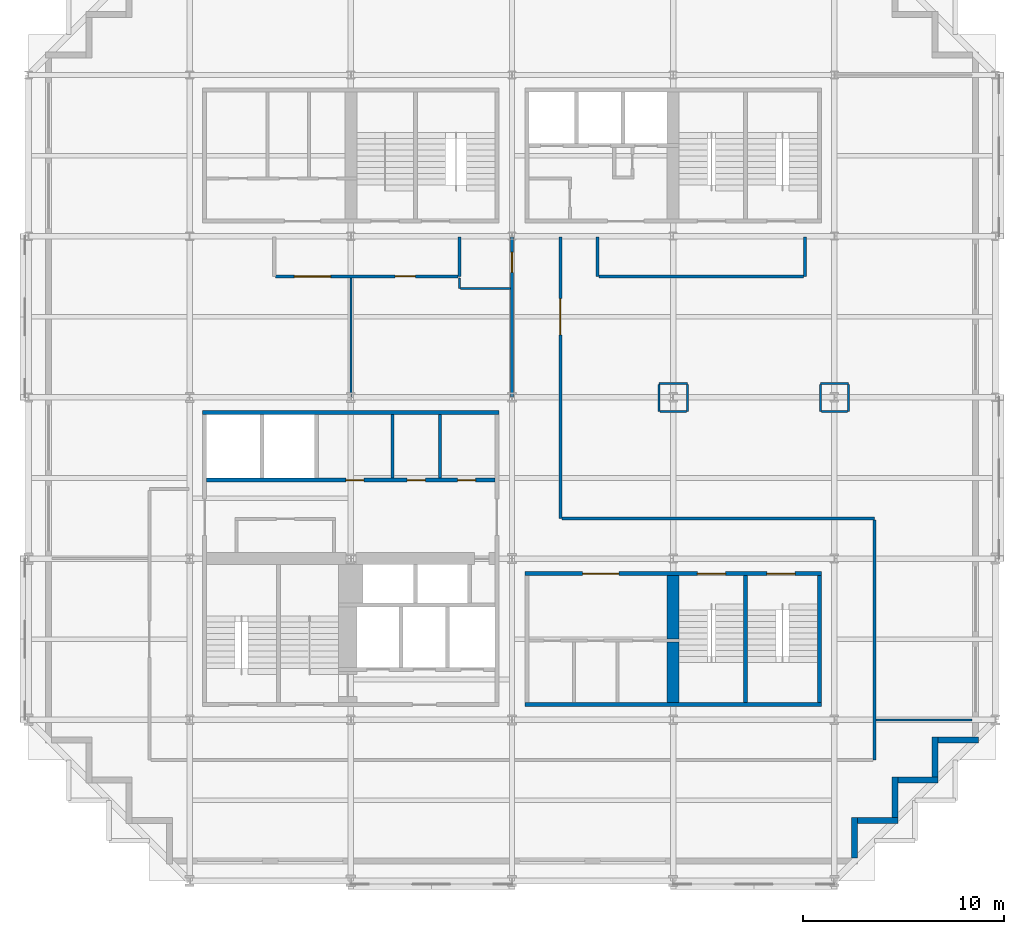
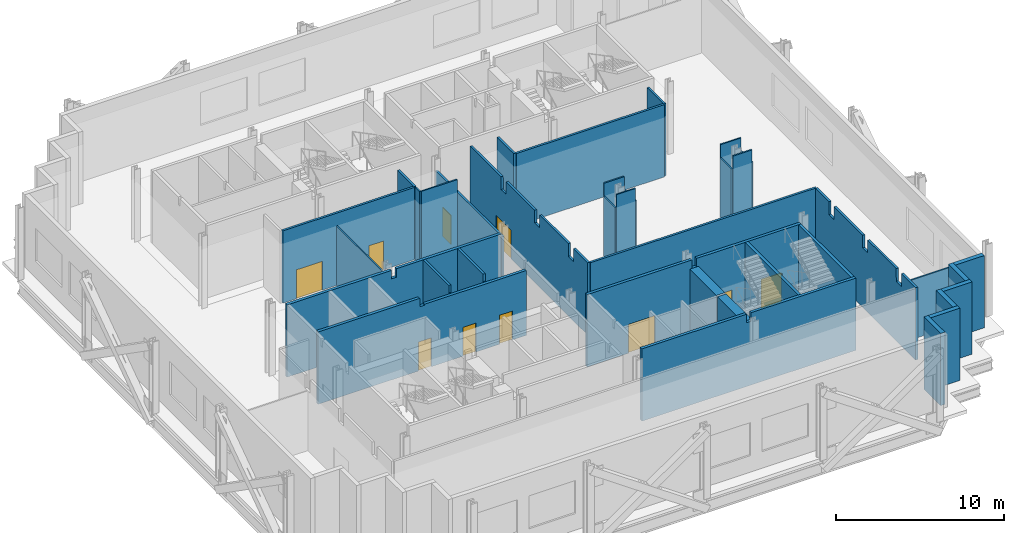
# One storey, part 6 of 10: 37 walls, 10 doors, 10 openings.
"""IFC4 building model written with IfcOpenShell, lengths in metres."""

from ifc_helpers import new_model, si_unit, direction, frame, frame_2d, origin, place, context, subcontext, project, spatial, polyline, rectangle, outline, extrude, material, layer, layer_set, type_object, element, fill, save


model = new_model("IFC4")

# Units and contexts
model_context = context("Model", 3, precision=1e-05, world=origin(), true_north=direction((0.0, 1.0)))
body_context = subcontext(model_context, "Body", "Model", "MODEL_VIEW")
ifc_project = project(units=[si_unit("LENGTHUNIT", "METRE"), si_unit("AREAUNIT", "SQUARE_METRE"), si_unit("VOLUMEUNIT", "CUBIC_METRE"), si_unit("PLANEANGLEUNIT", "RADIAN"), si_unit("MASSUNIT", "GRAM", prefix="KILO")], contexts=[model_context])

# Site, building, storey
site_placement = place(None, origin())
site = spatial("IfcSite", under=ifc_project, at=site_placement, CompositionType="ELEMENT")
building_placement = place(site_placement, origin())
building = spatial("IfcBuilding", under=site, at=building_placement, Name="Immortelle Media Tower", CompositionType="ELEMENT")
storey_placement = place(building_placement, frame((0.0, 0.0, 29.39990234375)))
storey = spatial("IfcBuildingStorey", under=building, at=storey_placement, Name="L03", CompositionType="ELEMENT", Elevation=29.39990234375)

# Walls
ifc_material_1 = material(Name="Fire-rated gypsum board", Category="gypsum")
ifc_layer_1 = layer(ifc_material_1, 0.02490234375)
ifc_material_2 = material(Name="Steel ASTM A653 SS Gr 50 stud frame with mineral wool", Category="steel")
ifc_layer_2 = layer(ifc_material_2, 0.10009765625)
ifc_layer_3 = layer(ifc_material_1, 0.02490234375)
ifc_layer_set_1 = layer_set([ifc_layer_1, ifc_layer_2, ifc_layer_3], Name="Steel ASTM A653 SS Gr 50 stud frame with mineral wool")
wall_type_1 = type_object("IfcWallType", Name="Core partition 150", PredefinedType="PARTITIONING", material=ifc_layer_set_1)
for number, where, z_axis, x_axis, name in (
    (1, (18.074951171875, 20.0, 0.0), (0.0, 0.0, 1.0), (0.0, 1.0, 0.0), "Core partition SW"),
    (2, (20.425048828125, 20.0, 0.0), (0.0, 0.0, 1.0), (0.0, 1.0, 0.0), "Core partition SW"),
):
    element("IfcWall", number, at=place(storey_placement, frame(where, z_axis=z_axis, x_axis=x_axis)), inside=storey, type_object=wall_type_1, Name=name, PredefinedType="PARTITIONING", context=body_context, shape_type="SweptSolid", body=[
        extrude(outline(polyline([(0.0, 0.0), (3.14990234375, 0.0), (3.14990234375, 5.25), (0.08837890625, 5.25), (0.08740234375, 4.7080078125), (0.0, 4.7080078125), (0.0, 0.0)])), frame((0.0, 0.074951171875, 0.0), z_axis=(0.0, -1.0, 0.0), x_axis=(1.0, 0.0, 0.0)), (0.0, 0.0, 1.0), 0.14990234375),
    ])
ifc_layer_4 = layer(ifc_material_1, 0.03759765625)
ifc_layer_5 = layer(ifc_material_2, 0.125)
ifc_layer_6 = layer(ifc_material_1, 0.03759765625)
ifc_layer_set_2 = layer_set([ifc_layer_4, ifc_layer_5, ifc_layer_6], Name="Steel ASTM A653 SS Gr 50 stud frame with mineral wool")
wall_type_2 = type_object("IfcWallType", Name="Core shaft wall 200", PredefinedType="PARTITIONING", material=ifc_layer_set_2)
wall_1_placement = place(storey_placement, frame((8.64990234375, 23.25, 0.0), z_axis=(0.0, 0.0, 1.0), x_axis=(1.0, 0.0, 0.0)))
element("IfcWall", 3, at=wall_1_placement, inside=storey, type_object=wall_type_2, Name="Core shaft wall SW", PredefinedType="PARTITIONING", context=body_context, shape_type="SweptSolid", body=[
    extrude(outline(polyline([(0.0, 0.0), (14.7001953125, 0.0), (14.699951171875, 5.25), (7.51708984375, 5.25), (7.51611328125, 4.632080078125), (7.18408203125, 4.632080078125), (7.18310546875, 5.25), (0.0, 5.25), (0.0, 0.0)])), frame((0.0, 0.10009765625, 0.0), z_axis=(0.0, -1.0, 0.0), x_axis=(1.0, 0.0, 0.0)), (0.0, 0.0, 1.0), 0.199951171875),
])

# Wall, openings, doors
wall_2_placement = place(storey_placement, frame((8.85009765625, 19.89990234375, 0.0), z_axis=(0.0, 0.0, 1.0), x_axis=(1.0, 0.0, 0.0)))
wall_2 = element("IfcWall", 4, at=wall_2_placement, inside=storey, type_object=wall_type_2, Name="Core shaft wall SW", PredefinedType="PARTITIONING", context=body_context, shape_type="SweptSolid", body=[
    extrude(outline(polyline([(0.0, 0.0), (14.2998046875, 0.0), (14.300048828125, 4.7080078125), (7.31689453125, 4.7080078125), (7.31591796875, 4.632080078125), (6.98388671875, 4.632080078125), (6.98291015625, 5.25), (0.0, 5.25), (0.0, 0.0)])), frame((0.0, 0.10009765625, 0.0), z_axis=(0.0, -1.0, 0.0), x_axis=(1.0, 0.0, 0.0)), (0.0, 0.0, 1.0), 0.199951171875),
])
opening_1_placement = place(wall_2_placement, frame((6.89990234375, 0.0, 0.0)))
opening_1 = element("IfcOpeningElement", 5, at=opening_1_placement, cuts=wall_2, Name="Opening P3-K006", PredefinedType="OPENING", context=body_context, shape_type="SweptSolid", body=[
    extrude(rectangle(XDim=0.89990234375, YDim=2.10009765625, at=frame_2d((0.449951171875, 1.050048828125))), frame((0.0, 0.10986328125, 0.0), z_axis=(0.0, -1.0, 0.0), x_axis=(1.0, 0.0, 0.0)), (0.0, 0.0, 1.0), 0.219970703125),
])
opening_2_placement = place(wall_2_placement, frame((9.949951171875, 0.0, 0.0)))
opening_2 = element("IfcOpeningElement", 6, at=opening_2_placement, cuts=wall_2, Name="Opening P3-K008", PredefinedType="OPENING", context=body_context, shape_type="SweptSolid", body=[
    extrude(rectangle(XDim=0.89990234375, YDim=2.10009765625, at=frame_2d((0.449951171875, 1.050048828125))), frame((0.0, 0.10986328125, 0.0), z_axis=(0.0, -1.0, 0.0), x_axis=(1.0, 0.0, 0.0)), (0.0, 0.0, 1.0), 0.219970703125),
])
opening_3_placement = place(wall_2_placement, frame((12.449951171875, 0.0, 0.0)))
opening_3 = element("IfcOpeningElement", 7, at=opening_3_placement, cuts=wall_2, Name="Opening P3-K011", PredefinedType="OPENING", context=body_context, shape_type="SweptSolid", body=[
    extrude(rectangle(XDim=0.89990234375, YDim=2.10009765625, at=frame_2d((0.449951171875, 1.050048828125))), frame((0.0, 0.10986328125, 0.0), z_axis=(0.0, -1.0, 0.0), x_axis=(1.0, 0.0, 0.0)), (0.0, 0.0, 1.0), 0.219970703125),
])
ifc_material_3 = material(Name="Timber", Category="wood")
door_type_1 = type_object("IfcDoorType", Name="Room door 900 x 2100", OperationType="NOTDEFINED", PredefinedType="NOTDEFINED", material=ifc_material_3)
door_1_placement = place(opening_1_placement, origin())
door_1 = element("IfcDoor", 8, at=door_1_placement, inside=storey, type_object=door_type_1, Name="Room P3-K006", OperationType="SINGLE_SWING_RIGHT", OverallHeight=2.10009765625, OverallWidth=0.89990234375, PredefinedType="NOTDEFINED", context=body_context, shape_type="SweptSolid", body=[
    extrude(rectangle(XDim=0.89990234375, YDim=2.10009765625, at=frame_2d((0.449951171875, 1.050048828125))), frame((0.0, 0.02490234375, 0.0), z_axis=(0.0, -1.0, 0.0), x_axis=(1.0, 0.0, 0.0)), (0.0, 0.0, 1.0), 0.050048828125),
])
fill(opening_1, door_1)
door_type_2 = type_object("IfcDoorType", Name="Toilet door 900 x 2100", OperationType="NOTDEFINED", PredefinedType="NOTDEFINED", material=ifc_material_3)
door_2_placement = place(opening_2_placement, origin())
door_2 = element("IfcDoor", 9, at=door_2_placement, inside=storey, type_object=door_type_2, Name="Toilet P3-K008", OperationType="SINGLE_SWING_RIGHT", OverallHeight=2.10009765625, OverallWidth=0.89990234375, PredefinedType="NOTDEFINED", context=body_context, shape_type="SweptSolid", body=[
    extrude(rectangle(XDim=0.89990234375, YDim=2.10009765625, at=frame_2d((0.449951171875, 1.050048828125))), frame((0.0, 0.02490234375, 0.0), z_axis=(0.0, -1.0, 0.0), x_axis=(1.0, 0.0, 0.0)), (0.0, 0.0, 1.0), 0.050048828125),
])
fill(opening_2, door_2)
door_3_placement = place(opening_3_placement, origin())
door_3 = element("IfcDoor", 10, at=door_3_placement, inside=storey, type_object=door_type_2, Name="Toilet P3-K011", OperationType="SINGLE_SWING_LEFT", OverallHeight=2.10009765625, OverallWidth=0.89990234375, PredefinedType="NOTDEFINED", context=body_context, shape_type="SweptSolid", body=[
    extrude(rectangle(XDim=0.89990234375, YDim=2.10009765625, at=frame_2d((0.449951171875, 1.050048828125))), frame((0.0, 0.02490234375, 0.0), z_axis=(0.0, -1.0, 0.0), x_axis=(1.0, 0.0, 0.0)), (0.0, 0.0, 1.0), 0.050048828125),
])
fill(opening_3, door_3)

# Walls
ifc_layer_7 = layer(ifc_material_1, 0.012451171875)
ifc_layer_8 = layer(ifc_material_2, 0.125)
ifc_layer_9 = layer(ifc_material_1, 0.012451171875)
ifc_layer_set_3 = layer_set([ifc_layer_7, ifc_layer_8, ifc_layer_9], Name="Steel ASTM A653 SS Gr 50 stud frame with mineral wool")
wall_type_3 = type_object("IfcWallType", Name="Corridor wall 150", PredefinedType="PARTITIONING", material=ifc_layer_set_3)
wall_3_placement = place(storey_placement, frame((42.0, 6.0, 0.0), z_axis=(0.0, 0.0, 1.0), x_axis=(0.0, 1.0, 0.0)))
element("IfcWall", 11, at=wall_3_placement, inside=storey, type_object=wall_type_3, Name="Partition L03-003", PredefinedType="PARTITIONING", context=body_context, shape_type="SweptSolid", body=[
    extrude(outline(polyline([(0.0, 0.0), (11.925048828125, 0.0), (11.925048828125, 5.25), (10.300048828125, 5.25), (10.298095703125, 4.322998046875), (9.701904296875, 4.322998046875), (9.699951171875, 5.25), (6.300048828125, 5.25), (6.298095703125, 4.322998046875), (5.701904296875, 4.322998046875), (5.699951171875, 5.25), (2.300048828125, 5.25), (2.298095703125, 4.322998046875), (1.701904296875, 4.322998046875), (1.699951171875, 5.25), (0.0, 5.25), (0.0, 0.0)])), frame((0.0, 0.074951171875, 0.0), z_axis=(0.0, -1.0, 0.0), x_axis=(1.0, 0.0, 0.0)), (0.0, 0.0, 1.0), 0.14990234375),
])
wall_4_placement = place(storey_placement, frame((26.47509765625, 18.0, 0.0), z_axis=(0.0, 0.0, 1.0), x_axis=(1.0, 0.0, 0.0)))
element("IfcWall", 12, at=wall_4_placement, inside=storey, type_object=wall_type_3, Name="Partition L03-006", PredefinedType="PARTITIONING", context=body_context, shape_type="SweptSolid", body=[
    extrude(rectangle(XDim=15.52490234375, YDim=0.14990234375, at=frame_2d((7.762451171875, 0.0))), origin(), (0.0, 0.0, 1.0), 5.25),
])

# Wall, opening, door
wall_5_placement = place(storey_placement, frame((26.39990234375, 18.0, 0.0), z_axis=(0.0, 0.0, 1.0), x_axis=(0.0, 1.0, 0.0)))
wall_5 = element("IfcWall", 13, at=wall_5_placement, inside=storey, type_object=wall_type_3, Name="Partition L03-007", PredefinedType="PARTITIONING", context=body_context, shape_type="SweptSolid", body=[
    extrude(outline(polyline([(0.0, 0.0), (13.969970703125, 0.0), (13.969970703125, 5.25), (10.300048828125, 5.25), (10.298095703125, 4.322998046875), (9.701904296875, 4.322998046875), (9.699951171875, 5.25), (6.300048828125, 5.25), (6.298095703125, 4.322998046875), (5.701904296875, 4.322998046875), (5.699951171875, 5.25), (2.300048828125, 5.25), (2.298095703125, 4.322998046875), (1.701904296875, 4.322998046875), (1.699951171875, 5.25), (0.0, 5.25), (0.0, 0.0)])), frame((0.0, 0.074951171875, 0.0), z_axis=(0.0, -1.0, 0.0), x_axis=(1.0, 0.0, 0.0)), (0.0, 0.0, 1.0), 0.14990234375),
])
opening_4_placement = place(wall_5_placement, frame((9.10009765625, 0.0, 0.0)))
opening_4 = element("IfcOpeningElement", 14, at=opening_4_placement, cuts=wall_5, Name="Opening P3-F002", PredefinedType="OPENING", context=body_context, shape_type="SweptSolid", body=[
    extrude(rectangle(XDim=1.800048828125, YDim=2.10009765625, at=frame_2d((0.89990234375, 1.050048828125))), frame((0.0, 0.0849609375, 0.0), z_axis=(0.0, -1.0, 0.0), x_axis=(1.0, 0.0, 0.0)), (0.0, 0.0, 1.0), 0.169921875),
])
ifc_material_4 = material(Name="Timber veneered door leaf, galvanised steel frame ASTM A653", Category="steel")
door_type_3 = type_object("IfcDoorType", Name="Room door 1800 x 2100", OperationType="DOUBLE_DOOR_SINGLE_SWING", PredefinedType="DOOR", material=ifc_material_4)
door_4_placement = place(opening_4_placement, origin())
door_4 = element("IfcDoor", 15, at=door_4_placement, inside=storey, type_object=door_type_3, Name="Door P3-F002", OperationType="DOUBLE_DOOR_SINGLE_SWING", OverallHeight=2.10009765625, OverallWidth=1.800048828125, PredefinedType="DOOR", context=body_context, shape_type="SweptSolid", body=[
    extrude(rectangle(XDim=1.800048828125, YDim=2.10009765625, at=frame_2d((0.89990234375, 1.050048828125))), frame((0.0, 0.02490234375, 0.0), z_axis=(0.0, -1.0, 0.0), x_axis=(1.0, 0.0, 0.0)), (0.0, 0.0, 1.0), 0.050048828125),
])
fill(opening_4, door_4)

wall_6_placement = place(storey_placement, frame((24.0, 24.030029296875, 0.0), z_axis=(0.0, 0.0, 1.0), x_axis=(0.0, 1.0, 0.0)))
wall_6 = element("IfcWall", 16, at=wall_6_placement, inside=storey, type_object=wall_type_3, Name="Partition L03-016", PredefinedType="PARTITIONING", context=body_context, shape_type="SweptSolid", body=[
    extrude(rectangle(XDim=7.93994140625, YDim=0.14990234375, at=frame_2d((3.969970703125, 0.0))), origin(), (0.0, 0.0, 1.0), 4.322998046875),
])
opening_5_placement = place(wall_6_placement, frame((6.169921875, 0.0, 0.0)))
opening_5 = element("IfcOpeningElement", 17, at=opening_5_placement, cuts=wall_6, Name="Opening P3-F005", PredefinedType="OPENING", context=body_context, shape_type="SweptSolid", body=[
    extrude(rectangle(XDim=1.0, YDim=2.10009765625, at=frame_2d((0.5, 1.050048828125))), frame((0.0, 0.0849609375, 0.0), z_axis=(0.0, -1.0, 0.0), x_axis=(1.0, 0.0, 0.0)), (0.0, 0.0, 1.0), 0.169921875),
])
door_type_4 = type_object("IfcDoorType", Name="Room door 1000 x 2100", OperationType="NOTDEFINED", PredefinedType="DOOR", material=ifc_material_4)
door_5_placement = place(opening_5_placement, origin())
door_5 = element("IfcDoor", 18, at=door_5_placement, inside=storey, type_object=door_type_4, Name="Door P3-F005", OperationType="SINGLE_SWING_RIGHT", OverallHeight=2.10009765625, OverallWidth=1.0, PredefinedType="DOOR", context=body_context, shape_type="SweptSolid", body=[
    extrude(rectangle(XDim=1.0, YDim=2.10009765625, at=frame_2d((0.5, 1.050048828125))), frame((0.0, 0.02490234375, 0.0), z_axis=(0.0, -1.0, 0.0), x_axis=(1.0, 0.0, 0.0)), (0.0, 0.0, 1.0), 0.050048828125),
])
fill(opening_5, door_5)

# Wall, openings, doors
wall_7_placement = place(storey_placement, frame((12.27490234375, 30.0, 0.0), z_axis=(0.0, 0.0, 1.0), x_axis=(1.0, 0.0, 0.0)))
wall_7 = element("IfcWall", 19, at=wall_7_placement, inside=storey, type_object=wall_type_3, Name="Partition L03-021", PredefinedType="PARTITIONING", context=body_context, shape_type="SweptSolid", body=[
    extrude(rectangle(XDim=9.050048828125, YDim=0.14990234375, at=frame_2d((4.52490234375, 0.0))), origin(), (0.0, 0.0, 1.0), 5.25),
])
opening_6_placement = place(wall_7_placement, frame((6.925048828125, 0.0, 0.0), z_axis=(0.0, 0.0, 1.0), x_axis=(-1.0, 0.0, 0.0)))
opening_6 = element("IfcOpeningElement", 20, at=opening_6_placement, cuts=wall_7, Name="Opening P3-F003", PredefinedType="OPENING", context=body_context, shape_type="SweptSolid", body=[
    extrude(rectangle(XDim=1.0, YDim=2.10009765625, at=frame_2d((0.5, 1.050048828125))), frame((0.0, 0.0849609375, 0.0), z_axis=(0.0, -1.0, 0.0), x_axis=(1.0, 0.0, 0.0)), (0.0, 0.0, 1.0), 0.169921875),
])
opening_7_placement = place(wall_7_placement, frame((0.925048828125, 0.0, 0.0)))
opening_7 = element("IfcOpeningElement", 21, at=opening_7_placement, cuts=wall_7, Name="Opening P3-F004", PredefinedType="OPENING", context=body_context, shape_type="SweptSolid", body=[
    extrude(rectangle(XDim=1.800048828125, YDim=2.10009765625, at=frame_2d((0.89990234375, 1.050048828125))), frame((0.0, 0.0849609375, 0.0), z_axis=(0.0, -1.0, 0.0), x_axis=(1.0, 0.0, 0.0)), (0.0, 0.0, 1.0), 0.169921875),
])
door_6_placement = place(opening_6_placement, origin())
door_6 = element("IfcDoor", 22, at=door_6_placement, inside=storey, type_object=door_type_4, Name="Door P3-F003", OperationType="SINGLE_SWING_LEFT", OverallHeight=2.10009765625, OverallWidth=1.0, PredefinedType="DOOR", context=body_context, shape_type="SweptSolid", body=[
    extrude(rectangle(XDim=1.0, YDim=2.10009765625, at=frame_2d((0.5, 1.050048828125))), frame((0.0, 0.02490234375, 0.0), z_axis=(0.0, -1.0, 0.0), x_axis=(1.0, 0.0, 0.0)), (0.0, 0.0, 1.0), 0.050048828125),
])
fill(opening_6, door_6)
door_7_placement = place(opening_7_placement, origin())
door_7 = element("IfcDoor", 23, at=door_7_placement, inside=storey, type_object=door_type_3, Name="Door P3-F004", OperationType="DOUBLE_DOOR_SINGLE_SWING", OverallHeight=2.10009765625, OverallWidth=1.800048828125, PredefinedType="DOOR", context=body_context, shape_type="SweptSolid", body=[
    extrude(rectangle(XDim=1.800048828125, YDim=2.10009765625, at=frame_2d((0.89990234375, 1.050048828125))), frame((0.0, 0.02490234375, 0.0), z_axis=(0.0, -1.0, 0.0), x_axis=(1.0, 0.0, 0.0)), (0.0, 0.0, 1.0), 0.050048828125),
])
fill(opening_7, door_7)

# Walls
wall_8_placement = place(storey_placement, frame((21.39990234375, 30.0, 0.0), z_axis=(0.0, 0.0, 1.0), x_axis=(0.0, 1.0, 0.0)))
element("IfcWall", 24, at=wall_8_placement, inside=storey, type_object=wall_type_3, Name="Partition L03-023", PredefinedType="PARTITIONING", context=body_context, shape_type="SweptSolid", body=[
    extrude(rectangle(XDim=1.969970703125, YDim=0.14990234375, at=frame_2d((0.98486328125, 0.0))), origin(), (0.0, 0.0, 1.0), 5.25),
])
wall_9_placement = place(storey_placement, frame((28.324951171875, 30.0, 0.0), z_axis=(0.0, 0.0, 1.0), x_axis=(1.0, 0.0, 0.0)))
element("IfcWall", 25, at=wall_9_placement, inside=storey, type_object=wall_type_3, Name="Partition L03-024", PredefinedType="PARTITIONING", context=body_context, shape_type="SweptSolid", body=[
    extrude(rectangle(XDim=10.150146484375, YDim=0.14990234375, at=frame_2d((5.0751953125, 0.0))), origin(), (0.0, 0.0, 1.0), 5.25),
])
for number, where, z_axis, x_axis, name in (
    (26, (28.25, 30.0, 0.0), (0.0, 0.0, 1.0), (0.0, 1.0, 0.0), "Partition L03-025"),
    (27, (38.550048828125, 30.0, 0.0), (0.0, 0.0, 1.0), (0.0, 1.0, 0.0), "Partition L03-026"),
):
    element("IfcWall", number, at=place(storey_placement, frame(where, z_axis=z_axis, x_axis=x_axis)), inside=storey, type_object=wall_type_3, Name=name, PredefinedType="PARTITIONING", context=body_context, shape_type="SweptSolid", body=[
        extrude(rectangle(XDim=1.969970703125, YDim=0.14990234375, at=frame_2d((0.98486328125, 0.0))), origin(), (0.0, 0.0, 1.0), 5.25),
    ])
ifc_material_5 = material(Name="Pale aluminium cladding panel", Category="aluminium")
ifc_layer_10 = layer(ifc_material_5, 0.030029296875)
ifc_layer_11 = layer(ifc_material_2, 0.257568359375)
ifc_material_6 = material(Name="Moisture-resistant gypsum board", Category="gypsum")
ifc_layer_12 = layer(ifc_material_6, 0.012451171875)
ifc_layer_set_4 = layer_set([ifc_layer_10, ifc_layer_11, ifc_layer_12], Name="Steel ASTM A653 SS Gr 50 stud frame with mineral wool")
wall_type_4 = type_object("IfcWallType", Name="Pale metal clad wall 300", PredefinedType="STANDARD", material=ifc_layer_set_4)
for number, where, z_axis, x_axis, name in (
    (28, (41.0, 1.14990234375, 0.0), (0.0, 0.0, 1.0), (0.0, 1.0, 0.0), "Support floor wall L03 E 8"),
    (29, (41.14990234375, 3.0, 0.0), (0.0, 0.0, 1.0), (1.0, 0.0, 0.0), "Support floor wall L03 S 9"),
    (30, (43.0, 3.14990234375, 0.0), (0.0, 0.0, 1.0), (0.0, 1.0, 0.0), "Support floor wall L03 E 10"),
    (31, (43.14990234375, 5.0, 0.0), (0.0, 0.0, 1.0), (1.0, 0.0, 0.0), "Support floor wall L03 S 11"),
    (32, (45.0, 5.14990234375, 0.0), (0.0, 0.0, 1.0), (0.0, 1.0, 0.0), "Support floor wall L03 E 12"),
    (33, (45.14990234375, 7.0, 0.0), (0.0, 0.0, 1.0), (1.0, 0.0, 0.0), "Support floor wall L03 S 13"),
):
    element("IfcWall", number, at=place(storey_placement, frame(where, z_axis=z_axis, x_axis=x_axis)), inside=storey, type_object=wall_type_4, Name=name, PredefinedType="STANDARD", context=body_context, shape_type="SweptSolid", body=[
        extrude(rectangle(XDim=2.0, YDim=0.300048828125, at=frame_2d((1.0, 0.0))), origin(), (0.0, 0.0, 1.0), 5.25),
    ])
ifc_material_7 = material(Name="Gypsum board", Category="gypsum")
ifc_layer_13 = layer(ifc_material_7, 0.012451171875)
ifc_layer_14 = layer(ifc_material_2, 0.074951171875)
ifc_layer_15 = layer(ifc_material_7, 0.012451171875)
ifc_layer_set_5 = layer_set([ifc_layer_13, ifc_layer_14, ifc_layer_15], Name="Steel ASTM A653 SS Gr 50 stud frame with mineral wool")
wall_type_5 = type_object("IfcWallType", Name="Partition 100", PredefinedType="PARTITIONING", material=ifc_layer_set_5)
wall_10_placement = place(storey_placement, frame((42.074951171875, 8.0, 0.0), z_axis=(0.0, 0.0, 1.0), x_axis=(1.0, 0.0, 0.0)))
element("IfcWall", 34, at=wall_10_placement, inside=storey, type_object=wall_type_5, Name="Partition L03-004", PredefinedType="PARTITIONING", context=body_context, shape_type="SweptSolid", body=[
    extrude(rectangle(XDim=4.7451171875, YDim=0.10009765625, at=frame_2d((2.37255859375, 0.0))), origin(), (0.0, 0.0, 1.0), 4.322998046875),
])
wall_11_placement = place(storey_placement, frame((31.35009765625, 23.300048828125, 0.0), z_axis=(0.0, 0.0, 1.0), x_axis=(1.0, 0.0, 0.0)))
element("IfcWall", 35, at=wall_11_placement, inside=storey, type_object=wall_type_5, Name="Partition L03-009", PredefinedType="PARTITIONING", context=body_context, shape_type="SweptSolid", body=[
    extrude(rectangle(XDim=1.2998046875, YDim=0.10009765625, at=frame_2d((0.64990234375, 0.0))), origin(), (0.0, 0.0, 1.0), 5.25),
])
for number, where, z_axis, x_axis, name in (
    (36, (31.300048828125, 23.300048828125, 0.0), (0.0, 0.0, 1.0), (0.0, 1.0, 0.0), "Partition L03-010"),
    (37, (32.699951171875, 23.300048828125, 0.0), (0.0, 0.0, 1.0), (0.0, 1.0, 0.0), "Partition L03-011"),
):
    element("IfcWall", number, at=place(storey_placement, frame(where, z_axis=z_axis, x_axis=x_axis)), inside=storey, type_object=wall_type_5, Name=name, PredefinedType="PARTITIONING", context=body_context, shape_type="SweptSolid", body=[
        extrude(rectangle(XDim=1.349853515625, YDim=0.10009765625, at=frame_2d((0.6748046875, 0.0))), origin(), (0.0, 0.0, 1.0), 4.322998046875),
    ])
wall_12_placement = place(storey_placement, frame((39.35009765625, 23.300048828125, 0.0), z_axis=(0.0, 0.0, 1.0), x_axis=(1.0, 0.0, 0.0)))
element("IfcWall", 38, at=wall_12_placement, inside=storey, type_object=wall_type_5, Name="Partition L03-012", PredefinedType="PARTITIONING", context=body_context, shape_type="SweptSolid", body=[
    extrude(rectangle(XDim=1.2998046875, YDim=0.10009765625, at=frame_2d((0.64990234375, 0.0))), origin(), (0.0, 0.0, 1.0), 5.25),
])
for number, where, z_axis, x_axis, name in (
    (39, (39.300048828125, 23.300048828125, 0.0), (0.0, 0.0, 1.0), (0.0, 1.0, 0.0), "Partition L03-013"),
    (40, (40.699951171875, 23.300048828125, 0.0), (0.0, 0.0, 1.0), (0.0, 1.0, 0.0), "Partition L03-014"),
):
    element("IfcWall", number, at=place(storey_placement, frame(where, z_axis=z_axis, x_axis=x_axis)), inside=storey, type_object=wall_type_5, Name=name, PredefinedType="PARTITIONING", context=body_context, shape_type="SweptSolid", body=[
        extrude(rectangle(XDim=1.349853515625, YDim=0.10009765625, at=frame_2d((0.6748046875, 0.0))), origin(), (0.0, 0.0, 1.0), 4.322998046875),
    ])
wall_13_placement = place(storey_placement, frame((16.0, 24.030029296875, 0.0), z_axis=(0.0, 0.0, 1.0), x_axis=(0.0, 1.0, 0.0)))
element("IfcWall", 41, at=wall_13_placement, inside=storey, type_object=wall_type_5, Name="Partition L03-015", PredefinedType="PARTITIONING", context=body_context, shape_type="SweptSolid", body=[
    extrude(rectangle(XDim=5.89501953125, YDim=0.10009765625, at=frame_2d((2.947509765625, 0.0))), origin(), (0.0, 0.0, 1.0), 4.322998046875),
])
for number, where, z_axis, x_axis, name in (
    (42, (31.300048828125, 24.699951171875, 0.0), (0.0, 0.0, 1.0), (1.0, 0.0, 0.0), "Partition L03-017"),
    (43, (39.300048828125, 24.699951171875, 0.0), (0.0, 0.0, 1.0), (1.0, 0.0, 0.0), "Partition L03-018"),
):
    element("IfcWall", number, at=place(storey_placement, frame(where, z_axis=z_axis, x_axis=x_axis)), inside=storey, type_object=wall_type_5, Name=name, PredefinedType="PARTITIONING", context=body_context, shape_type="SweptSolid", body=[
        extrude(rectangle(XDim=1.39990234375, YDim=0.10009765625, at=frame_2d((0.699951171875, 0.0))), origin(), (0.0, 0.0, 1.0), 5.25),
    ])
wall_14_placement = place(storey_placement, frame((21.449951171875, 29.39990234375, 0.0), z_axis=(0.0, 0.0, 1.0), x_axis=(1.0, 0.0, 0.0)))
element("IfcWall", 44, at=wall_14_placement, inside=storey, type_object=wall_type_5, Name="Partition L03-019", PredefinedType="PARTITIONING", context=body_context, shape_type="SweptSolid", body=[
    extrude(rectangle(XDim=2.47509765625, YDim=0.10009765625, at=frame_2d((1.237548828125, 0.0))), origin(), (0.0, 0.0, 1.0), 5.25),
])
wall_15_placement = place(storey_placement, frame((21.39990234375, 29.39990234375, 0.0), z_axis=(0.0, 0.0, 1.0), x_axis=(0.0, 1.0, 0.0)))
element("IfcWall", 45, at=wall_15_placement, inside=storey, type_object=wall_type_5, Name="Partition L03-020", PredefinedType="PARTITIONING", context=body_context, shape_type="SweptSolid", body=[
    extrude(rectangle(XDim=0.525146484375, YDim=0.10009765625, at=frame_2d((0.2626953125, 0.0))), origin(), (0.0, 0.0, 1.0), 5.25),
])
ifc_material_8 = material(Name="Concrete C60", Category="concrete")
ifc_layer_16 = layer(ifc_material_8, 0.199951171875)
ifc_layer_set_6 = layer_set([ifc_layer_16], Name="Concrete C60")
wall_type_6 = type_object("IfcWallType", Name="Stair shaft wall 200", PredefinedType="PARTITIONING", material=ifc_layer_set_6)
wall_16_placement = place(storey_placement, frame((24.64990234375, 8.75, 0.0), z_axis=(0.0, 0.0, 1.0), x_axis=(1.0, 0.0, 0.0)))
element("IfcWall", 46, at=wall_16_placement, inside=storey, type_object=wall_type_6, Name="Stair shaft wall SE", PredefinedType="PARTITIONING", context=body_context, shape_type="SweptSolid", body=[
    extrude(outline(polyline([(0.0, 0.0), (14.7001953125, 0.0), (14.699951171875, 5.25), (7.51708984375, 5.25), (7.51611328125, 4.632080078125), (7.18408203125, 4.632080078125), (7.18310546875, 5.25), (0.0, 5.25), (0.0, 0.0)])), frame((0.0, 0.10009765625, 0.0), z_axis=(0.0, -1.0, 0.0), x_axis=(1.0, 0.0, 0.0)), (0.0, 0.0, 1.0), 0.199951171875),
])

# Wall, openings, doors
wall_17_placement = place(storey_placement, frame((24.64990234375, 15.25, 0.0), z_axis=(0.0, 0.0, 1.0), x_axis=(1.0, 0.0, 0.0)))
wall_17 = element("IfcWall", 47, at=wall_17_placement, inside=storey, type_object=wall_type_6, Name="Stair shaft wall SE", PredefinedType="PARTITIONING", context=body_context, shape_type="SweptSolid", body=[
    extrude(outline(polyline([(0.0, 0.0), (14.7001953125, 0.0), (14.699951171875, 5.25), (7.51708984375, 5.25), (7.51611328125, 4.632080078125), (7.18408203125, 4.632080078125), (7.18310546875, 5.25), (0.0, 5.25), (0.0, 0.0)])), frame((0.0, 0.10009765625, 0.0), z_axis=(0.0, -1.0, 0.0), x_axis=(1.0, 0.0, 0.0)), (0.0, 0.0, 1.0), 0.199951171875),
])
opening_8_placement = place(wall_17_placement, frame((2.85009765625, 0.0, 0.0)))
opening_8 = element("IfcOpeningElement", 48, at=opening_8_placement, cuts=wall_17, Name="Opening P3-K017", PredefinedType="OPENING", context=body_context, shape_type="SweptSolid", body=[
    extrude(rectangle(XDim=1.800048828125, YDim=2.10009765625, at=frame_2d((0.89990234375, 1.050048828125))), frame((0.0, 0.10986328125, 0.0), z_axis=(0.0, -1.0, 0.0), x_axis=(1.0, 0.0, 0.0)), (0.0, 0.0, 1.0), 0.219970703125),
])
opening_9_placement = place(wall_17_placement, frame((9.949951171875, 0.0, 0.0), z_axis=(0.0, 0.0, 1.0), x_axis=(-1.0, 0.0, 0.0)))
opening_9 = element("IfcOpeningElement", 49, at=opening_9_placement, cuts=wall_17, Name="Opening P3-K019", PredefinedType="OPENING", context=body_context, shape_type="SweptSolid", body=[
    extrude(rectangle(XDim=1.39990234375, YDim=2.10009765625, at=frame_2d((0.699951171875, 1.050048828125))), frame((0.0, 0.10986328125, 0.0), z_axis=(0.0, -1.0, 0.0), x_axis=(1.0, 0.0, 0.0)), (0.0, 0.0, 1.0), 0.219970703125),
])
opening_10_placement = place(wall_17_placement, frame((13.39990234375, 0.0, 0.0), z_axis=(0.0, 0.0, 1.0), x_axis=(-1.0, 0.0, 0.0)))
opening_10 = element("IfcOpeningElement", 50, at=opening_10_placement, cuts=wall_17, Name="Opening P3-K020", PredefinedType="OPENING", context=body_context, shape_type="SweptSolid", body=[
    extrude(rectangle(XDim=1.39990234375, YDim=2.10009765625, at=frame_2d((0.699951171875, 1.050048828125))), frame((0.0, 0.10986328125, 0.0), z_axis=(0.0, -1.0, 0.0), x_axis=(1.0, 0.0, 0.0)), (0.0, 0.0, 1.0), 0.219970703125),
])
ifc_material_9 = material(Name="Galvanised steel door leaf and frame ASTM A653", Category="steel")
door_type_5 = type_object("IfcDoorType", Name="Lift lobby door 1800 x 2100", OperationType="DOUBLE_DOOR_SINGLE_SWING", PredefinedType="NOTDEFINED", material=ifc_material_9)
door_8_placement = place(opening_8_placement, origin())
door_8 = element("IfcDoor", 51, at=door_8_placement, inside=storey, type_object=door_type_5, Name="Lift lobby P3-K017", OperationType="DOUBLE_DOOR_SINGLE_SWING", OverallHeight=2.10009765625, OverallWidth=1.800048828125, PredefinedType="NOTDEFINED", context=body_context, shape_type="SweptSolid", body=[
    extrude(rectangle(XDim=1.800048828125, YDim=2.10009765625, at=frame_2d((0.89990234375, 1.050048828125))), frame((0.0, 0.02490234375, 0.0), z_axis=(0.0, -1.0, 0.0), x_axis=(1.0, 0.0, 0.0)), (0.0, 0.0, 1.0), 0.050048828125),
])
fill(opening_8, door_8)
door_type_6 = type_object("IfcDoorType", Name="Stair door 1400 x 2100", OperationType="DOUBLE_DOOR_SINGLE_SWING", PredefinedType="NOTDEFINED", material=ifc_material_9)
door_9_placement = place(opening_9_placement, origin())
door_9 = element("IfcDoor", 52, at=door_9_placement, inside=storey, type_object=door_type_6, Name="Stair P3-K019", OperationType="DOUBLE_DOOR_SINGLE_SWING", OverallHeight=2.10009765625, OverallWidth=1.39990234375, PredefinedType="NOTDEFINED", context=body_context, shape_type="SweptSolid", body=[
    extrude(rectangle(XDim=1.39990234375, YDim=2.10009765625, at=frame_2d((0.699951171875, 1.050048828125))), frame((0.0, 0.02490234375, 0.0), z_axis=(0.0, -1.0, 0.0), x_axis=(1.0, 0.0, 0.0)), (0.0, 0.0, 1.0), 0.050048828125),
])
fill(opening_9, door_9)
door_10_placement = place(opening_10_placement, origin())
door_10 = element("IfcDoor", 53, at=door_10_placement, inside=storey, type_object=door_type_6, Name="Stair P3-K020", OperationType="DOUBLE_DOOR_SINGLE_SWING", OverallHeight=2.10009765625, OverallWidth=1.39990234375, PredefinedType="NOTDEFINED", context=body_context, shape_type="SweptSolid", body=[
    extrude(rectangle(XDim=1.39990234375, YDim=2.10009765625, at=frame_2d((0.699951171875, 1.050048828125))), frame((0.0, 0.02490234375, 0.0), z_axis=(0.0, -1.0, 0.0), x_axis=(1.0, 0.0, 0.0)), (0.0, 0.0, 1.0), 0.050048828125),
])
fill(opening_10, door_10)

# Walls
for number, where, z_axis, x_axis, name in (
    (54, (35.60009765625, 8.85009765625, 0.0), (0.0, 0.0, 1.0), (0.0, 1.0, 0.0), "Stair shaft wall SE"),
    (55, (39.25, 8.85009765625, 0.0), (0.0, 0.0, 1.0), (0.0, 1.0, 0.0), "Stair shaft wall SE"),
):
    element("IfcWall", number, at=place(storey_placement, frame(where, z_axis=z_axis, x_axis=x_axis)), inside=storey, type_object=wall_type_6, Name=name, PredefinedType="PARTITIONING", context=body_context, shape_type="SweptSolid", body=[
        extrude(rectangle(XDim=6.2998046875, YDim=0.199951171875, at=frame_2d((3.14990234375, 0.0))), origin(), (0.0, 0.0, 1.0), 5.25),
    ])
ifc_layer_17 = layer(ifc_material_8, 0.60009765625)
ifc_layer_set_7 = layer_set([ifc_layer_17], Name="Concrete C60")
wall_type_7 = type_object("IfcWallType", Name="Stair shaft wall 600", PredefinedType="PARTITIONING", material=ifc_layer_set_7)
wall_18_placement = place(storey_placement, frame((32.0, 8.85009765625, 0.0), z_axis=(0.0, 0.0, 1.0), x_axis=(0.0, 1.0, 0.0)))
element("IfcWall", 56, at=wall_18_placement, inside=storey, type_object=wall_type_7, Name="Stair shaft wall SE", PredefinedType="PARTITIONING", context=body_context, shape_type="SweptSolid", body=[
    extrude(rectangle(XDim=3.0, YDim=0.60009765625, at=frame_2d((1.5, 0.0))), origin(), (0.0, 0.0, 1.0), 4.632080078125),
])
wall_19_placement = place(storey_placement, frame((32.0, 12.0, 0.0), z_axis=(0.0, 0.0, 1.0), x_axis=(0.0, 1.0, 0.0)))
element("IfcWall", 57, at=wall_19_placement, inside=storey, type_object=wall_type_7, Name="Stair shaft wall SE", PredefinedType="PARTITIONING", context=body_context, shape_type="SweptSolid", body=[
    extrude(rectangle(XDim=3.14990234375, YDim=0.60009765625, at=frame_2d((1.574951171875, 0.0))), origin(), (0.0, 0.0, 1.0), 4.632080078125),
])

save(model, "model.ifc")
